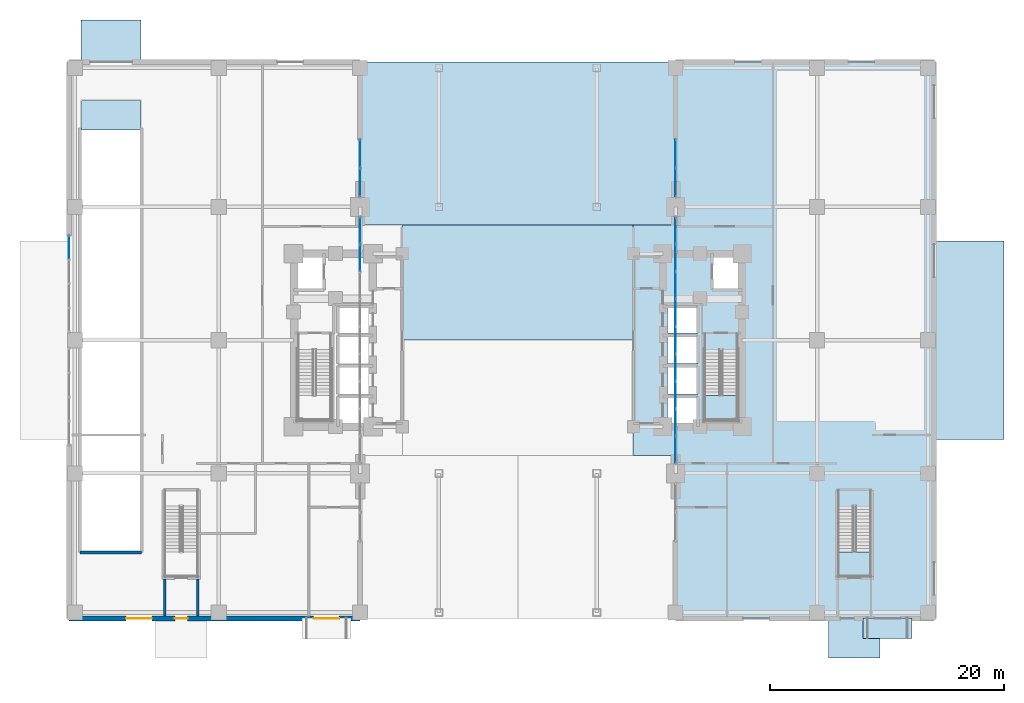
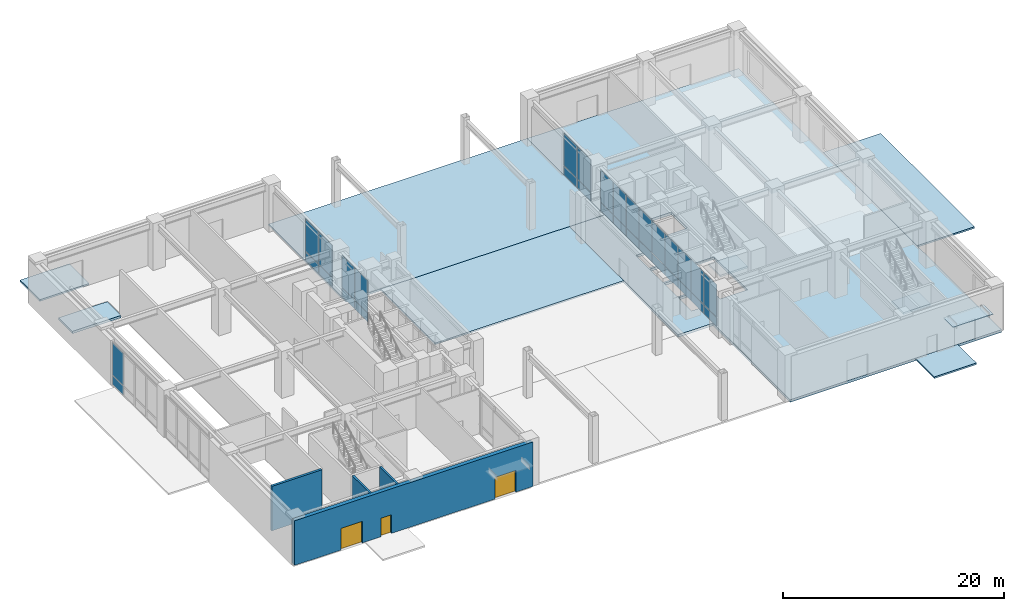
# One storey, part 16 of 23: 33 plates, 9 slabs, 4 walls, 3 doors, 3 openings, 7 elements without a shape of their own.
"""IFC4 building model written with IfcOpenShell, lengths in metres."""

from ifc_helpers import new_model, si_unit, direction, frame, frame_2d, origin, origin_2d, place, context, subcontext, project, spatial, polyline, rectangle, outline, extrude, material, layer, layer_set, type_object, element, fill, aggregate, save


model = new_model("IFC4")

# Units and contexts
model_context = context("Model", 3, precision=1e-05, world=origin(), true_north=direction((0.0, 1.0)))
body_context = subcontext(model_context, "Body", "Model", "MODEL_VIEW")
ifc_project = project(units=[si_unit("LENGTHUNIT", "METRE"), si_unit("AREAUNIT", "SQUARE_METRE"), si_unit("VOLUMEUNIT", "CUBIC_METRE"), si_unit("PLANEANGLEUNIT", "RADIAN"), si_unit("MASSUNIT", "GRAM", prefix="KILO")], contexts=[model_context])

# Site, building, storey
site_placement = place(None, origin())
site = spatial("IfcSite", under=ifc_project, at=site_placement, CompositionType="ELEMENT")
building_placement = place(site_placement, origin())
building = spatial("IfcBuilding", under=site, at=building_placement, Name="Voryun Gate Residences", CompositionType="ELEMENT")
storey_placement = place(building_placement, origin())
storey = spatial("IfcBuildingStorey", under=building, at=storey_placement, Name="L00", CompositionType="ELEMENT", Elevation=0.0)

# Plate
ifc_material_1 = material(Name="Anodised aluminium", Category="aluminium")
ifc_layer_1 = layer(ifc_material_1, 0.06005859375, Name="PLT_EAVE_SOFFIT_BLACK")
ifc_layer_set_1 = layer_set([ifc_layer_1], Name="Anodised aluminium")
plate_type_1 = type_object("IfcPlateType", Name="PLT_EAVE_SOFFIT_BLACK", PredefinedType="USERDEFINED", material=ifc_layer_set_1)
plate_1_placement = place(storey_placement, frame((31.6220703125, -24.64990234375, 3.389892578125), z_axis=(0.0, 0.0, 1.0), x_axis=(1.0, 0.0, 0.0)))
element("IfcPlate", 1, at=plate_1_placement, inside=storey, type_object=plate_type_1, Name="Entrance canopy CNP-L00-EP-1", ObjectType="FLANGE_PLATE", PredefinedType="USERDEFINED", context=body_context, shape_type="SweptSolid", body=[
    extrude(rectangle(XDim=4.199951171875, YDim=1.75, at=origin_2d()), origin(), (0.0, 0.0, 1.0), 0.06005859375),
])

# Curtain wall, plates
ifc_material_2 = material(Name="Anodised aluminium", Category="aluminium")
ifc_layer_2 = layer(ifc_material_2, 0.239990234375, Name="CW_SYS_ARCH_DARK_GLASS")
ifc_layer_set_2 = layer_set([ifc_layer_2], Name="Anodised aluminium")
curtain_wall_type_1 = type_object("IfcCurtainWallType", Name="CW_SYS_ARCH_DARK_GLASS", PredefinedType="NOTDEFINED", material=ifc_layer_set_2)
curtain_wall_1_placement = place(storey_placement, origin())
curtain_wall_1 = element("IfcCurtainWall", 2, at=curtain_wall_1_placement, inside=storey, type_object=curtain_wall_type_1, Name="Curtain wall CW2-L00-WP-M", PredefinedType="NOTDEFINED")
ifc_material_3 = material(Name="Laminated low-E glass", Category="glass")
ifc_layer_3 = layer(ifc_material_3, 0.048095703125, Name="PLT_GLASS_DARK_POD")
ifc_layer_set_3 = layer_set([ifc_layer_3], Name="Laminated low-E glass")
plate_type_2 = type_object("IfcPlateType", Name="PLT_GLASS_DARK_POD", PredefinedType="CURTAIN_PANEL", material=ifc_layer_set_3)
plate_2_placement = place(storey_placement, frame((-13.5, 7.03662109375, 0.06005859375), z_axis=(0.0, 0.0, 1.0), x_axis=(0.0, 1.0, 0.0)))
plate_2 = element("IfcPlate", 3, at=plate_2_placement, type_object=plate_type_2, Name="CW2 panel 8.1", PredefinedType="CURTAIN_PANEL", context=body_context, shape_type="SweptSolid", body=[
    extrude(rectangle(XDim=2.28564453125, YDim=0.028076171875, at=origin_2d()), origin(), (0.0, 0.0, 1.0), 0.9599609375),
])
plate_3_placement = place(storey_placement, frame((-13.5, 7.03662109375, 1.080078125), z_axis=(0.0, 0.0, 1.0), x_axis=(0.0, 1.0, 0.0)))
plate_3 = element("IfcPlate", 4, at=plate_3_placement, type_object=plate_type_2, Name="CW2 panel 8.2", PredefinedType="CURTAIN_PANEL", context=body_context, shape_type="SweptSolid", body=[
    extrude(rectangle(XDim=2.28564453125, YDim=0.028076171875, at=origin_2d()), origin(), (0.0, 0.0, 1.0), 3.56005859375),
])
plate_4_placement = place(storey_placement, frame((-13.5, 9.3671875, 0.06005859375), z_axis=(0.0, 0.0, 1.0), x_axis=(0.0, 1.0, 0.0)))
plate_4 = element("IfcPlate", 5, at=plate_4_placement, type_object=plate_type_2, Name="CW2 panel 9.1", PredefinedType="CURTAIN_PANEL", context=body_context, shape_type="SweptSolid", body=[
    extrude(rectangle(XDim=2.255615234375, YDim=0.028076171875, at=origin_2d()), origin(), (0.0, 0.0, 1.0), 0.9599609375),
])
plate_5_placement = place(storey_placement, frame((-13.5, 9.3671875, 1.080078125), z_axis=(0.0, 0.0, 1.0), x_axis=(0.0, 1.0, 0.0)))
plate_5 = element("IfcPlate", 6, at=plate_5_placement, type_object=plate_type_2, Name="CW2 panel 9.2", PredefinedType="CURTAIN_PANEL", context=body_context, shape_type="SweptSolid", body=[
    extrude(rectangle(XDim=2.255615234375, YDim=0.028076171875, at=origin_2d()), origin(), (0.0, 0.0, 1.0), 3.56005859375),
])
aggregate(curtain_wall_1, [plate_2, plate_3, plate_4, plate_5])

curtain_wall_2_placement = place(storey_placement, origin())
curtain_wall_2 = element("IfcCurtainWall", 7, at=curtain_wall_2_placement, inside=storey, type_object=curtain_wall_type_1, Name="Curtain wall CW2-L00-WP-N", PredefinedType="NOTDEFINED")
plate_6_placement = place(storey_placement, frame((-13.5, 13.498779296875, 0.06005859375), z_axis=(0.0, 0.0, 1.0), x_axis=(0.0, 1.0, 0.0)))
plate_6 = element("IfcPlate", 8, at=plate_6_placement, type_object=plate_type_2, Name="CW2 panel 1.1", PredefinedType="CURTAIN_PANEL", context=body_context, shape_type="SweptSolid", body=[
    extrude(rectangle(XDim=2.387451171875, YDim=0.028076171875, at=origin_2d()), origin(), (0.0, 0.0, 1.0), 0.9599609375),
])
plate_7_placement = place(storey_placement, frame((-13.5, 13.498779296875, 1.080078125), z_axis=(0.0, 0.0, 1.0), x_axis=(0.0, 1.0, 0.0)))
plate_7 = element("IfcPlate", 9, at=plate_7_placement, type_object=plate_type_2, Name="CW2 panel 1.2", PredefinedType="CURTAIN_PANEL", context=body_context, shape_type="SweptSolid", body=[
    extrude(rectangle(XDim=2.387451171875, YDim=0.028076171875, at=origin_2d()), origin(), (0.0, 0.0, 1.0), 3.56005859375),
])
plate_8_placement = place(storey_placement, frame((-13.5, 15.9462890625, 0.06005859375), z_axis=(0.0, 0.0, 1.0), x_axis=(0.0, 1.0, 0.0)))
plate_8 = element("IfcPlate", 10, at=plate_8_placement, type_object=plate_type_2, Name="CW2 panel 2.1", PredefinedType="CURTAIN_PANEL", context=body_context, shape_type="SweptSolid", body=[
    extrude(rectangle(XDim=2.387451171875, YDim=0.028076171875, at=origin_2d()), origin(), (0.0, 0.0, 1.0), 0.9599609375),
])
plate_9_placement = place(storey_placement, frame((-13.5, 15.9462890625, 1.080078125), z_axis=(0.0, 0.0, 1.0), x_axis=(0.0, 1.0, 0.0)))
plate_9 = element("IfcPlate", 11, at=plate_9_placement, type_object=plate_type_2, Name="CW2 panel 2.2", PredefinedType="CURTAIN_PANEL", context=body_context, shape_type="SweptSolid", body=[
    extrude(rectangle(XDim=2.387451171875, YDim=0.028076171875, at=origin_2d()), origin(), (0.0, 0.0, 1.0), 3.56005859375),
])
aggregate(curtain_wall_2, [plate_6, plate_7, plate_8, plate_9])

ifc_material_4 = material(Name="Anodised aluminium", Category="aluminium")
ifc_layer_4 = layer(ifc_material_4, 0.219970703125, Name="CW_SYS_POD_DARK_GLASS")
ifc_layer_set_4 = layer_set([ifc_layer_4], Name="Anodised aluminium")
curtain_wall_type_2 = type_object("IfcCurtainWallType", Name="CW_SYS_POD_DARK_GLASS", PredefinedType="NOTDEFINED", material=ifc_layer_set_4)
curtain_wall_3_placement = place(storey_placement, origin())
curtain_wall_3 = element("IfcCurtainWall", 12, at=curtain_wall_3_placement, inside=storey, type_object=curtain_wall_type_2, Name="Curtain wall CW1-L00-WPW-N", PredefinedType="NOTDEFINED")
plate_10_placement = place(storey_placement, frame((-38.39990234375, 7.94677734375, 0.06005859375), z_axis=(0.0, 0.0, 1.0), x_axis=(0.0, 1.0, 0.0)))
plate_10 = element("IfcPlate", 13, at=plate_10_placement, type_object=plate_type_2, Name="CW1 panel 4.1", PredefinedType="CURTAIN_PANEL", context=body_context, shape_type="SweptSolid", body=[
    extrude(rectangle(XDim=1.986328125, YDim=0.028076171875, at=origin_2d()), origin(), (0.0, 0.0, 1.0), 0.9599609375),
])
plate_11_placement = place(storey_placement, frame((-38.39990234375, 7.94677734375, 1.080078125), z_axis=(0.0, 0.0, 1.0), x_axis=(0.0, 1.0, 0.0)))
plate_11 = element("IfcPlate", 14, at=plate_11_placement, type_object=plate_type_2, Name="CW1 panel 4.2", PredefinedType="CURTAIN_PANEL", context=body_context, shape_type="SweptSolid", body=[
    extrude(rectangle(XDim=1.986328125, YDim=0.028076171875, at=origin_2d()), origin(), (0.0, 0.0, 1.0), 3.56005859375),
])
aggregate(curtain_wall_3, [plate_10, plate_11])

curtain_wall_4_placement = place(storey_placement, origin())
curtain_wall_4 = element("IfcCurtainWall", 15, at=curtain_wall_4_placement, inside=storey, type_object=curtain_wall_type_1, Name="Curtain wall CW2-L00-EP-M", PredefinedType="NOTDEFINED")
plate_12_placement = place(storey_placement, frame((13.5, -9.3671875, 0.06005859375), z_axis=(0.0, 0.0, 1.0), x_axis=(0.0, 1.0, 0.0)))
plate_12 = element("IfcPlate", 16, at=plate_12_placement, type_object=plate_type_2, Name="CW2 panel 1.1", PredefinedType="CURTAIN_PANEL", context=body_context, shape_type="SweptSolid", body=[
    extrude(rectangle(XDim=2.255615234375, YDim=0.028076171875, at=origin_2d()), origin(), (0.0, 0.0, 1.0), 0.9599609375),
])
plate_13_placement = place(storey_placement, frame((13.5, -9.3671875, 1.080078125), z_axis=(0.0, 0.0, 1.0), x_axis=(0.0, 1.0, 0.0)))
plate_13 = element("IfcPlate", 17, at=plate_13_placement, type_object=plate_type_2, Name="CW2 panel 1.2", PredefinedType="CURTAIN_PANEL", context=body_context, shape_type="SweptSolid", body=[
    extrude(rectangle(XDim=2.255615234375, YDim=0.028076171875, at=origin_2d()), origin(), (0.0, 0.0, 1.0), 3.56005859375),
])
plate_14_placement = place(storey_placement, frame((13.5, -7.03662109375, 0.06005859375), z_axis=(0.0, 0.0, 1.0), x_axis=(0.0, 1.0, 0.0)))
plate_14 = element("IfcPlate", 18, at=plate_14_placement, type_object=plate_type_2, Name="CW2 panel 2.1", PredefinedType="CURTAIN_PANEL", context=body_context, shape_type="SweptSolid", body=[
    extrude(rectangle(XDim=2.28564453125, YDim=0.028076171875, at=origin_2d()), origin(), (0.0, 0.0, 1.0), 0.9599609375),
])
plate_15_placement = place(storey_placement, frame((13.5, -7.03662109375, 1.080078125), z_axis=(0.0, 0.0, 1.0), x_axis=(0.0, 1.0, 0.0)))
plate_15 = element("IfcPlate", 19, at=plate_15_placement, type_object=plate_type_2, Name="CW2 panel 2.2", PredefinedType="CURTAIN_PANEL", context=body_context, shape_type="SweptSolid", body=[
    extrude(rectangle(XDim=2.28564453125, YDim=0.028076171875, at=origin_2d()), origin(), (0.0, 0.0, 1.0), 3.56005859375),
])
plate_16_placement = place(storey_placement, frame((13.5, -4.691162109375, 0.06005859375), z_axis=(0.0, 0.0, 1.0), x_axis=(0.0, 1.0, 0.0)))
plate_16 = element("IfcPlate", 20, at=plate_16_placement, type_object=plate_type_2, Name="CW2 panel 3.1", PredefinedType="CURTAIN_PANEL", context=body_context, shape_type="SweptSolid", body=[
    extrude(rectangle(XDim=2.28564453125, YDim=0.028076171875, at=origin_2d()), origin(), (0.0, 0.0, 1.0), 0.9599609375),
])
plate_17_placement = place(storey_placement, frame((13.5, -4.691162109375, 1.080078125), z_axis=(0.0, 0.0, 1.0), x_axis=(0.0, 1.0, 0.0)))
plate_17 = element("IfcPlate", 21, at=plate_17_placement, type_object=plate_type_2, Name="CW2 panel 3.2", PredefinedType="CURTAIN_PANEL", context=body_context, shape_type="SweptSolid", body=[
    extrude(rectangle(XDim=2.28564453125, YDim=0.028076171875, at=origin_2d()), origin(), (0.0, 0.0, 1.0), 3.56005859375),
])
plate_18_placement = place(storey_placement, frame((13.5, -2.345458984375, 0.06005859375), z_axis=(0.0, 0.0, 1.0), x_axis=(0.0, 1.0, 0.0)))
plate_18 = element("IfcPlate", 22, at=plate_18_placement, type_object=plate_type_2, Name="CW2 panel 4.1", PredefinedType="CURTAIN_PANEL", context=body_context, shape_type="SweptSolid", body=[
    extrude(rectangle(XDim=2.28564453125, YDim=0.028076171875, at=origin_2d()), origin(), (0.0, 0.0, 1.0), 0.9599609375),
])
plate_19_placement = place(storey_placement, frame((13.5, -2.345458984375, 1.080078125), z_axis=(0.0, 0.0, 1.0), x_axis=(0.0, 1.0, 0.0)))
plate_19 = element("IfcPlate", 23, at=plate_19_placement, type_object=plate_type_2, Name="CW2 panel 4.2", PredefinedType="CURTAIN_PANEL", context=body_context, shape_type="SweptSolid", body=[
    extrude(rectangle(XDim=2.28564453125, YDim=0.028076171875, at=origin_2d()), origin(), (0.0, 0.0, 1.0), 3.56005859375),
])
plate_20_placement = place(storey_placement, frame((13.5, 0.0, 0.06005859375), z_axis=(0.0, 0.0, 1.0), x_axis=(0.0, 1.0, 0.0)))
plate_20 = element("IfcPlate", 24, at=plate_20_placement, type_object=plate_type_2, Name="CW2 panel 5.1", PredefinedType="CURTAIN_PANEL", context=body_context, shape_type="SweptSolid", body=[
    extrude(rectangle(XDim=2.28564453125, YDim=0.028076171875, at=origin_2d()), origin(), (0.0, 0.0, 1.0), 0.9599609375),
])
plate_21_placement = place(storey_placement, frame((13.5, 0.0, 1.080078125), z_axis=(0.0, 0.0, 1.0), x_axis=(0.0, 1.0, 0.0)))
plate_21 = element("IfcPlate", 25, at=plate_21_placement, type_object=plate_type_2, Name="CW2 panel 5.2", PredefinedType="CURTAIN_PANEL", context=body_context, shape_type="SweptSolid", body=[
    extrude(rectangle(XDim=2.28564453125, YDim=0.028076171875, at=origin_2d()), origin(), (0.0, 0.0, 1.0), 3.56005859375),
])
plate_22_placement = place(storey_placement, frame((13.5, 2.345458984375, 0.06005859375), z_axis=(0.0, 0.0, 1.0), x_axis=(0.0, 1.0, 0.0)))
plate_22 = element("IfcPlate", 26, at=plate_22_placement, type_object=plate_type_2, Name="CW2 panel 6.1", PredefinedType="CURTAIN_PANEL", context=body_context, shape_type="SweptSolid", body=[
    extrude(rectangle(XDim=2.28564453125, YDim=0.028076171875, at=origin_2d()), origin(), (0.0, 0.0, 1.0), 0.9599609375),
])
plate_23_placement = place(storey_placement, frame((13.5, 2.345458984375, 1.080078125), z_axis=(0.0, 0.0, 1.0), x_axis=(0.0, 1.0, 0.0)))
plate_23 = element("IfcPlate", 27, at=plate_23_placement, type_object=plate_type_2, Name="CW2 panel 6.2", PredefinedType="CURTAIN_PANEL", context=body_context, shape_type="SweptSolid", body=[
    extrude(rectangle(XDim=2.28564453125, YDim=0.028076171875, at=origin_2d()), origin(), (0.0, 0.0, 1.0), 3.56005859375),
])
plate_24_placement = place(storey_placement, frame((13.5, 4.691162109375, 0.06005859375), z_axis=(0.0, 0.0, 1.0), x_axis=(0.0, 1.0, 0.0)))
plate_24 = element("IfcPlate", 28, at=plate_24_placement, type_object=plate_type_2, Name="CW2 panel 7.1", PredefinedType="CURTAIN_PANEL", context=body_context, shape_type="SweptSolid", body=[
    extrude(rectangle(XDim=2.28564453125, YDim=0.028076171875, at=origin_2d()), origin(), (0.0, 0.0, 1.0), 0.9599609375),
])
plate_25_placement = place(storey_placement, frame((13.5, 4.691162109375, 1.080078125), z_axis=(0.0, 0.0, 1.0), x_axis=(0.0, 1.0, 0.0)))
plate_25 = element("IfcPlate", 29, at=plate_25_placement, type_object=plate_type_2, Name="CW2 panel 7.2", PredefinedType="CURTAIN_PANEL", context=body_context, shape_type="SweptSolid", body=[
    extrude(rectangle(XDim=2.28564453125, YDim=0.028076171875, at=origin_2d()), origin(), (0.0, 0.0, 1.0), 3.56005859375),
])
plate_26_placement = place(storey_placement, frame((13.5, 7.03662109375, 0.06005859375), z_axis=(0.0, 0.0, 1.0), x_axis=(0.0, 1.0, 0.0)))
plate_26 = element("IfcPlate", 30, at=plate_26_placement, type_object=plate_type_2, Name="CW2 panel 8.1", PredefinedType="CURTAIN_PANEL", context=body_context, shape_type="SweptSolid", body=[
    extrude(rectangle(XDim=2.28564453125, YDim=0.028076171875, at=origin_2d()), origin(), (0.0, 0.0, 1.0), 0.9599609375),
])
plate_27_placement = place(storey_placement, frame((13.5, 7.03662109375, 1.080078125), z_axis=(0.0, 0.0, 1.0), x_axis=(0.0, 1.0, 0.0)))
plate_27 = element("IfcPlate", 31, at=plate_27_placement, type_object=plate_type_2, Name="CW2 panel 8.2", PredefinedType="CURTAIN_PANEL", context=body_context, shape_type="SweptSolid", body=[
    extrude(rectangle(XDim=2.28564453125, YDim=0.028076171875, at=origin_2d()), origin(), (0.0, 0.0, 1.0), 3.56005859375),
])
plate_28_placement = place(storey_placement, frame((13.5, 9.3671875, 0.06005859375), z_axis=(0.0, 0.0, 1.0), x_axis=(0.0, 1.0, 0.0)))
plate_28 = element("IfcPlate", 32, at=plate_28_placement, type_object=plate_type_2, Name="CW2 panel 9.1", PredefinedType="CURTAIN_PANEL", context=body_context, shape_type="SweptSolid", body=[
    extrude(rectangle(XDim=2.255615234375, YDim=0.028076171875, at=origin_2d()), origin(), (0.0, 0.0, 1.0), 0.9599609375),
])
plate_29_placement = place(storey_placement, frame((13.5, 9.3671875, 1.080078125), z_axis=(0.0, 0.0, 1.0), x_axis=(0.0, 1.0, 0.0)))
plate_29 = element("IfcPlate", 33, at=plate_29_placement, type_object=plate_type_2, Name="CW2 panel 9.2", PredefinedType="CURTAIN_PANEL", context=body_context, shape_type="SweptSolid", body=[
    extrude(rectangle(XDim=2.255615234375, YDim=0.028076171875, at=origin_2d()), origin(), (0.0, 0.0, 1.0), 3.56005859375),
])
aggregate(curtain_wall_4, [plate_12, plate_13, plate_14, plate_15, plate_16, plate_17, plate_18, plate_19, plate_20, plate_21, plate_22, plate_23, plate_24, plate_25, plate_26, plate_27, plate_28, plate_29])

curtain_wall_5_placement = place(storey_placement, origin())
curtain_wall_5 = element("IfcCurtainWall", 34, at=curtain_wall_5_placement, inside=storey, type_object=curtain_wall_type_1, Name="Curtain wall CW2-L00-EP-N", PredefinedType="NOTDEFINED")
plate_30_placement = place(storey_placement, frame((13.5, 13.498779296875, 0.06005859375), z_axis=(0.0, 0.0, 1.0), x_axis=(0.0, 1.0, 0.0)))
plate_30 = element("IfcPlate", 35, at=plate_30_placement, type_object=plate_type_2, Name="CW2 panel 1.1", PredefinedType="CURTAIN_PANEL", context=body_context, shape_type="SweptSolid", body=[
    extrude(rectangle(XDim=2.387451171875, YDim=0.028076171875, at=origin_2d()), origin(), (0.0, 0.0, 1.0), 0.9599609375),
])
plate_31_placement = place(storey_placement, frame((13.5, 13.498779296875, 1.080078125), z_axis=(0.0, 0.0, 1.0), x_axis=(0.0, 1.0, 0.0)))
plate_31 = element("IfcPlate", 36, at=plate_31_placement, type_object=plate_type_2, Name="CW2 panel 1.2", PredefinedType="CURTAIN_PANEL", context=body_context, shape_type="SweptSolid", body=[
    extrude(rectangle(XDim=2.387451171875, YDim=0.028076171875, at=origin_2d()), origin(), (0.0, 0.0, 1.0), 3.56005859375),
])
plate_32_placement = place(storey_placement, frame((13.5, 15.9462890625, 0.06005859375), z_axis=(0.0, 0.0, 1.0), x_axis=(0.0, 1.0, 0.0)))
plate_32 = element("IfcPlate", 37, at=plate_32_placement, type_object=plate_type_2, Name="CW2 panel 2.1", PredefinedType="CURTAIN_PANEL", context=body_context, shape_type="SweptSolid", body=[
    extrude(rectangle(XDim=2.387451171875, YDim=0.028076171875, at=origin_2d()), origin(), (0.0, 0.0, 1.0), 0.9599609375),
])
plate_33_placement = place(storey_placement, frame((13.5, 15.9462890625, 1.080078125), z_axis=(0.0, 0.0, 1.0), x_axis=(0.0, 1.0, 0.0)))
plate_33 = element("IfcPlate", 38, at=plate_33_placement, type_object=plate_type_2, Name="CW2 panel 2.2", PredefinedType="CURTAIN_PANEL", context=body_context, shape_type="SweptSolid", body=[
    extrude(rectangle(XDim=2.387451171875, YDim=0.028076171875, at=origin_2d()), origin(), (0.0, 0.0, 1.0), 3.56005859375),
])
aggregate(curtain_wall_5, [plate_30, plate_31, plate_32, plate_33])

# Slabs
ifc_material_5 = material(Name="Granite masonry", Category="masonry")
ifc_layer_5 = layer(ifc_material_5, 0.179931640625, Name="SLB_PLAZA_PAVING_180")
ifc_layer_set_5 = layer_set([ifc_layer_5], Name="Granite masonry")
slab_type_1 = type_object("IfcSlabType", Name="SLB_PLAZA_PAVING_180", PredefinedType="USERDEFINED", material=ifc_layer_set_5)
slab_1_placement = place(storey_placement, frame((0.0, 0.0, -0.179931640625)))
element("IfcSlab", 39, at=slab_1_placement, inside=storey, type_object=slab_type_1, Name="L00 Central-North Arch Concourse Granite Paving", ObjectType="PAVING", PredefinedType="USERDEFINED", context=body_context, shape_type="SweptSolid", body=[
    extrude(outline(polyline([(-9.85009765625, 0.0), (-9.85009765625, 9.85009765625), (9.85009765625, 9.85009765625), (9.85009765625, 0.0), (-9.85009765625, 0.0)])), origin(), (0.0, 0.0, 1.0), 0.179931640625),
])
slab_2_placement = place(storey_placement, frame((0.0, 0.0, -0.179931640625)))
element("IfcSlab", 40, at=slab_2_placement, inside=storey, type_object=slab_type_1, Name="L00 North Arch Concourse Granite Paving", ObjectType="PAVING", PredefinedType="USERDEFINED", context=body_context, shape_type="SweptSolid", body=[
    extrude(outline(polyline([(-13.5, 9.85009765625), (-13.5, 23.800048828125), (13.5, 23.800048828125), (13.5, 9.85009765625), (9.85009765625, 9.85009765625), (-9.85009765625, 9.85009765625), (-13.5, 9.85009765625)])), origin(), (0.0, 0.0, 1.0), 0.179931640625),
])
slab_3_placement = place(storey_placement, frame((0.0, 0.0, -0.179931640625)))
element("IfcSlab", 41, at=slab_3_placement, inside=storey, type_object=slab_type_1, Name="L00 Car Park Vehicle Entry Driveway Apron", ObjectType="PAVING", PredefinedType="USERDEFINED", context=body_context, shape_type="SweptSolid", body=[
    extrude(outline(polyline([(-37.39990234375, 27.39990234375), (-32.25, 27.39990234375), (-32.25, 23.800048828125), (-37.39990234375, 23.800048828125), (-37.39990234375, 27.39990234375)])), origin(), (0.0, 0.0, 1.0), 0.179931640625),
])
slab_4_placement = place(storey_placement, frame((0.0, 0.0, -0.179931640625)))
element("IfcSlab", 42, at=slab_4_placement, inside=storey, type_object=slab_type_1, Name="L00 East Escape Stair Exterior Discharge Apron", ObjectType="PAVING", PredefinedType="USERDEFINED", context=body_context, shape_type="SweptSolid", body=[
    extrude(outline(polyline([(26.60009765625, -23.800048828125), (31.0, -23.800048828125), (31.0, -27.199951171875), (26.60009765625, -27.199951171875), (26.60009765625, -23.800048828125)])), origin(), (0.0, 0.0, 1.0), 0.179931640625),
])
slab_5_placement = place(storey_placement, frame((0.0, 0.0, -0.179931640625)))
element("IfcSlab", 43, at=slab_5_placement, inside=storey, type_object=slab_type_1, Name="L00 East Arrival Forecourt Granite Plaza", ObjectType="PAVING", PredefinedType="USERDEFINED", context=body_context, shape_type="SweptSolid", body=[
    extrude(outline(polyline([(35.60009765625, 8.5), (41.60009765625, 8.5), (41.60009765625, -8.5), (35.60009765625, -8.5), (35.60009765625, 8.5)])), origin(), (0.0, 0.0, 1.0), 0.179931640625),
])
ifc_material_6 = material(Name="Concrete C50/60", Category="concrete")
ifc_layer_6 = layer(ifc_material_6, 0.280029296875, Name="SLB_POD_280")
ifc_layer_set_6 = layer_set([ifc_layer_6], Name="Concrete C50/60")
slab_type_2 = type_object("IfcSlabType", Name="SLB_POD_280", PredefinedType="FLOOR", material=ifc_layer_set_6)
slab_6_placement = place(storey_placement, frame((0.0, 0.0, -0.280029296875)))
element("IfcSlab", 44, at=slab_6_placement, inside=storey, type_object=slab_type_2, Name="L00 East Podium Pier Slab", PredefinedType="FLOOR", context=body_context, shape_type="SweptSolid", body=[
    extrude(outline(polyline([(9.85009765625, 9.85009765625), (13.5, 9.85009765625), (13.5, 23.800048828125), (35.60009765625, 23.800048828125), (35.60009765625, -23.800048828125), (13.5, -23.800048828125), (13.5, -9.85009765625), (9.85009765625, -9.85009765625), (9.85009765625, 9.85009765625)]), holes=[polyline([(15.39990234375, -7.199951171875), (15.39990234375, -4.800048828125), (12.800048828125, -4.800048828125), (12.800048828125, -7.199951171875), (15.39990234375, -7.199951171875)]), polyline([(15.97509765625, -6.85009765625), (18.824951171875, -6.85009765625), (18.824951171875, -0.840087890625), (15.97509765625, -0.840087890625), (15.97509765625, -6.85009765625)]), polyline([(15.39990234375, -4.60009765625), (15.39990234375, -2.199951171875), (12.800048828125, -2.199951171875), (12.800048828125, -4.60009765625), (15.39990234375, -4.60009765625)]), polyline([(15.39990234375, -2.0), (15.39990234375, 0.39990234375), (12.800048828125, 0.39990234375), (12.800048828125, -2.0), (15.39990234375, -2.0)]), polyline([(15.39990234375, 0.60009765625), (15.39990234375, 2.89990234375), (12.800048828125, 2.89990234375), (12.800048828125, 0.60009765625), (15.39990234375, 0.60009765625)]), polyline([(19.0, 4.300048828125), (19.0, 7.199951171875), (16.60009765625, 7.199951171875), (16.60009765625, 4.300048828125), (19.0, 4.300048828125)])]), origin(), (0.0, 0.0, 1.0), 0.280029296875),
])
ifc_material_7 = material(Name="Concrete C40/50", Category="concrete")
ifc_layer_7 = layer(ifc_material_7, 0.260009765625, Name="SLB_RAMP_SLOPED_260")
ifc_layer_set_7 = layer_set([ifc_layer_7], Name="Concrete C40/50")
slab_type_3 = type_object("IfcSlabType", Name="SLB_RAMP_SLOPED_260", PredefinedType="FLOOR", material=ifc_layer_set_7)
slab_7_placement = place(storey_placement, frame((-37.35009765625, 18.0, 0.0), z_axis=(0.0, -0.001953121275, 0.999998092657), x_axis=(1.0, 0.0, 0.0)))
element("IfcSlab", 45, at=slab_7_placement, inside=storey, type_object=slab_type_3, Name="Car park vehicle ramp arrival threshold L00", PredefinedType="FLOOR", context=body_context, shape_type="SweptSolid", body=[
    extrude(outline(polyline([(0.0, 0.0), (5.10009765625, 0.0), (5.10009765625, 2.5000047683670346), (0.0, 2.5000047683670346), (0.0, 0.0)])), origin(), (0.0, 0.0, -1.0), 0.260009765625),
])

# Stair, slab
ifc_material_8 = material(Name="Concrete C40/50", Category="concrete")
stair_type_1 = type_object("IfcStairType", Name="STR_CORE_DOGLEG_1350", PredefinedType="HALF_TURN_STAIR", material=ifc_material_8)
stair_1_placement = place(storey_placement, origin())
stair_1 = element("IfcStair", 46, at=stair_1_placement, inside=storey, type_object=stair_type_1, Name="L00 Special Escape Stair ST-E1", PredefinedType="HALF_TURN_STAIR")
ifc_material_9 = material(Name="Concrete C40/50", Category="concrete")
ifc_layer_8 = layer(ifc_material_9, 0.199951171875, Name="SLB_STAIR_LANDING_200")
ifc_layer_set_8 = layer_set([ifc_layer_8], Name="Concrete C40/50")
slab_type_4 = type_object("IfcSlabType", Name="SLB_STAIR_LANDING_200", PredefinedType="LANDING", material=ifc_layer_set_8)
slab_8_placement = place(storey_placement, frame((0.0, 0.0, 2.39990234375)))
slab_8 = element("IfcSlab", 47, at=slab_8_placement, type_object=slab_type_4, Name="ST-E1 landing 1", PredefinedType="LANDING", context=body_context, shape_type="SweptSolid", body=[
    extrude(outline(polyline([(15.97509765625, -4.719970703125), (15.97509765625, -6.85009765625), (18.824951171875, -6.85009765625), (18.824951171875, -4.719970703125), (15.97509765625, -4.719970703125)])), origin(), (0.0, 0.0, 1.0), 0.2001953125),
])
aggregate(stair_1, [slab_8])

ifc_material_10 = material(Name="Concrete C40/50", Category="concrete")
stair_type_2 = type_object("IfcStairType", Name="STR_CROWN_DOGLEG_1250", PredefinedType="HALF_TURN_STAIR", material=ifc_material_10)
stair_2_placement = place(storey_placement, origin())
stair_2 = element("IfcStair", 48, at=stair_2_placement, inside=storey, type_object=stair_type_2, Name="L00 Special Escape Stair ST-P2", PredefinedType="HALF_TURN_STAIR")
slab_9_placement = place(storey_placement, frame((0.0, 0.0, 2.39990234375)))
slab_9 = element("IfcSlab", 49, at=slab_9_placement, type_object=slab_type_4, Name="ST-P2 landing 1", PredefinedType="LANDING", context=body_context, shape_type="SweptSolid", body=[
    extrude(outline(polyline([(27.375, -18.1201171875), (27.375, -20.25), (30.22509765625, -20.25), (30.22509765625, -18.1201171875), (27.375, -18.1201171875)])), origin(), (0.0, 0.0, 1.0), 0.2001953125),
])
aggregate(stair_2, [slab_9])

# Wall, openings, doors
ifc_material_11 = material(Name="Granite masonry", Category="masonry")
ifc_layer_9 = layer(ifc_material_11, 0.419921875, Name="W_EXT_PODIUM_420")
ifc_layer_set_9 = layer_set([ifc_layer_9], Name="Granite masonry")
wall_type_1 = type_object("IfcWallType", Name="W_EXT_PODIUM_420", PredefinedType="ELEMENTEDWALL", material=ifc_layer_set_9)
wall_1_placement = place(storey_placement, frame((-13.5, -23.800048828125, 0.0), z_axis=(0.0, 0.0, 1.0), x_axis=(-1.0, 0.0, 0.0)))
wall_1 = element("IfcWall", 50, at=wall_1_placement, inside=storey, type_object=wall_type_1, Name="Exterior wall WEP-L00-WP-1", PredefinedType="ELEMENTEDWALL", context=body_context, shape_type="SweptSolid", body=[
    extrude(rectangle(XDim=24.89990234375, YDim=0.419921875, at=frame_2d((12.449951171875, 0.0))), origin(), (0.0, 0.0, 1.0), 4.919921875),
])
opening_1_placement = place(wall_1_placement, frame((14.75, 0.0, 0.0)))
opening_1 = element("IfcOpeningElement", 51, at=opening_1_placement, cuts=wall_1, Name="Opening D-FD60-2", PredefinedType="OPENING", context=body_context, shape_type="SweptSolid", body=[
    extrude(rectangle(XDim=1.10009765625, YDim=2.050048828125, at=frame_2d((0.550048828125, 1.02490234375))), frame((0.0, 0.219970703125, 0.0), z_axis=(0.0, -1.0, 0.0), x_axis=(1.0, 0.0, 0.0)), (0.0, 0.0, 1.0), 0.43994140625),
])
opening_2_placement = place(wall_1_placement, frame((1.781982421875, 0.0, 0.0)))
opening_2 = element("IfcOpeningElement", 52, at=opening_2_placement, cuts=wall_1, Name="Opening D-LOB-1", PredefinedType="OPENING", context=body_context, shape_type="SweptSolid", body=[
    extrude(rectangle(XDim=2.199951171875, YDim=2.39990234375, at=frame_2d((1.10009765625, 1.199951171875))), frame((0.0, 0.219970703125, 0.0), z_axis=(0.0, -1.0, 0.0), x_axis=(1.0, 0.0, 0.0)), (0.0, 0.0, 1.0), 0.43994140625),
])
opening_3_placement = place(wall_1_placement, frame((17.823974609375, 0.0, 0.0)))
opening_3 = element("IfcOpeningElement", 53, at=opening_3_placement, cuts=wall_1, Name="Opening D-LOB-1", PredefinedType="OPENING", context=body_context, shape_type="SweptSolid", body=[
    extrude(rectangle(XDim=2.199951171875, YDim=2.39990234375, at=frame_2d((1.10009765625, 1.199951171875))), frame((0.0, 0.219970703125, 0.0), z_axis=(0.0, -1.0, 0.0), x_axis=(1.0, 0.0, 0.0)), (0.0, 0.0, 1.0), 0.43994140625),
])
ifc_material_12 = material(Name="Painted steel fire door", Category="steel")
door_type_1 = type_object("IfcDoorType", Name="DR_FD60_FFLOB_1100", OperationType="NOTDEFINED", PredefinedType="DOOR", material=ifc_material_12)
door_1_placement = place(opening_1_placement, origin())
door_1 = element("IfcDoor", 54, at=door_1_placement, inside=storey, type_object=door_type_1, Name="Door DR-L00-EXIT-P1", OperationType="SINGLE_SWING_LEFT", OverallHeight=2.050048828125, OverallWidth=1.10009765625, PredefinedType="DOOR", context=body_context, shape_type="SweptSolid", body=[
    extrude(rectangle(XDim=1.10009765625, YDim=2.050048828125, at=frame_2d((0.550048828125, 1.02490234375))), frame((0.0, 0.02490234375, 0.0), z_axis=(0.0, -1.0, 0.0), x_axis=(1.0, 0.0, 0.0)), (0.0, 0.0, 1.0), 0.050048828125),
])
fill(opening_1, door_1)
ifc_material_13 = material(Name="Dark bronze aluminium and low-E glass", Category="aluminium")
door_type_2 = type_object("IfcDoorType", Name="DR_LOBBY_PORTAL_2200", OperationType="NOTDEFINED", PredefinedType="DOOR", material=ifc_material_13)
door_2_placement = place(opening_2_placement, origin())
door_2 = element("IfcDoor", 55, at=door_2_placement, inside=storey, type_object=door_type_2, Name="Door DR-L00-WP-E0-1", OperationType="DOUBLE_DOOR_SINGLE_SWING", OverallHeight=2.39990234375, OverallWidth=2.199951171875, PredefinedType="DOOR", context=body_context, shape_type="SweptSolid", body=[
    extrude(rectangle(XDim=2.199951171875, YDim=2.39990234375, at=frame_2d((1.10009765625, 1.199951171875))), frame((0.0, 0.02490234375, 0.0), z_axis=(0.0, -1.0, 0.0), x_axis=(1.0, 0.0, 0.0)), (0.0, 0.0, 1.0), 0.050048828125),
])
fill(opening_2, door_2)
door_3_placement = place(opening_3_placement, origin())
door_3 = element("IfcDoor", 56, at=door_3_placement, inside=storey, type_object=door_type_2, Name="Door DR-L00-WP-E0-2", OperationType="DOUBLE_DOOR_SINGLE_SWING", OverallHeight=2.39990234375, OverallWidth=2.199951171875, PredefinedType="DOOR", context=body_context, shape_type="SweptSolid", body=[
    extrude(rectangle(XDim=2.199951171875, YDim=2.39990234375, at=frame_2d((1.10009765625, 1.199951171875))), frame((0.0, 0.02490234375, 0.0), z_axis=(0.0, -1.0, 0.0), x_axis=(1.0, 0.0, 0.0)), (0.0, 0.0, 1.0), 0.050048828125),
])
fill(opening_3, door_3)

# Walls
ifc_material_14 = material(Name="Concrete C40/50", Category="concrete")
ifc_layer_10 = layer(ifc_material_14, 0.199951171875, Name="W_FF_LOBBY_200")
ifc_layer_set_10 = layer_set([ifc_layer_10], Name="Concrete C40/50")
wall_type_2 = type_object("IfcWallType", Name="W_FF_LOBBY_200", PredefinedType="PARTITIONING", material=ifc_layer_set_10)
for number, where, z_axis, x_axis, name in (
    (57, (-30.219970703125, -23.6201171875, 0.0), (0.0, 0.0, 1.0), (0.0, 1.0, 0.0), "Partition wall WP-L00-EXP-ST-P1-W"),
    (58, (-27.3798828125, -23.6201171875, 0.0), (0.0, 0.0, 1.0), (0.0, 1.0, 0.0), "Partition wall WP-L00-EXP-ST-P1-E"),
):
    element("IfcWall", number, at=place(storey_placement, frame(where, z_axis=z_axis, x_axis=x_axis)), inside=storey, type_object=wall_type_2, Name=name, PredefinedType="PARTITIONING", context=body_context, shape_type="SweptSolid", body=[
        extrude(rectangle(XDim=3.170166015625, YDim=0.199951171875, at=frame_2d((1.5849609375, 0.0))), origin(), (0.0, 0.0, 1.0), 4.919921875),
    ])
ifc_material_15 = material(Name="Concrete C50/60", Category="concrete")
ifc_layer_11 = layer(ifc_material_15, 0.25, Name="W_SHAFT_RC250")
ifc_layer_set_11 = layer_set([ifc_layer_11], Name="Concrete C50/60")
wall_type_3 = type_object("IfcWallType", Name="W_SHAFT_RC250", PredefinedType="SOLIDWALL", material=ifc_layer_set_11)
wall_2_placement = place(storey_placement, frame((-37.449951171875, -18.14990234375, 0.0), z_axis=(0.0, 0.0, 1.0), x_axis=(1.0, 0.0, 0.0)))
element("IfcWall", 59, at=wall_2_placement, inside=storey, type_object=wall_type_3, Name="Partition wall WP-L00-RMP-S", PredefinedType="SOLIDWALL", context=body_context, shape_type="SweptSolid", body=[
    extrude(rectangle(XDim=5.25, YDim=0.25, at=frame_2d((2.625, 0.0))), origin(), (0.0, 0.0, 1.0), 4.919921875),
])

save(model, "model.ifc")
